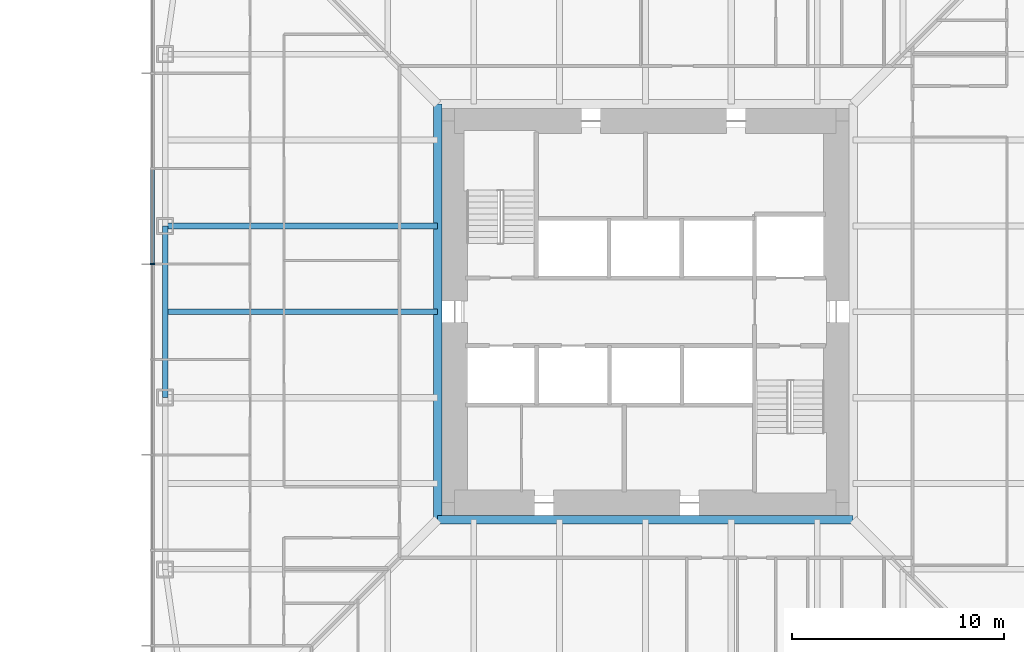
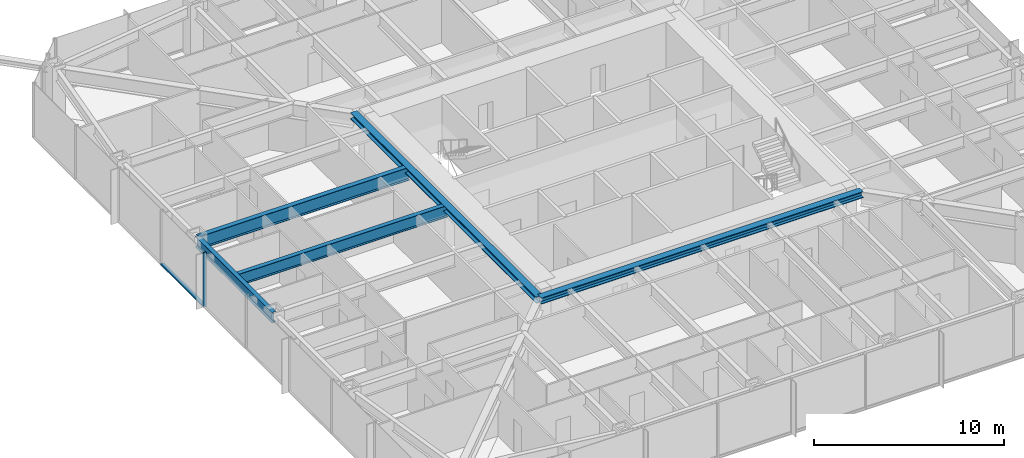
# One storey, part 4 of 26: 5 beams, 2 members, 1 element without a shape of its own.
"""IFC4 building model written with IfcOpenShell, lengths in metres."""

from ifc_helpers import new_model, si_unit, direction, frame, origin, origin_2d, place, context, subcontext, project, spatial, rectangle, i_section, extrude, material, material_profile, profile_set, type_object, element, aggregate, save


model = new_model("IFC4")

# Units and contexts
model_context = context("Model", 3, precision=1e-05, world=origin(), true_north=direction((0.0, 1.0)))
body_context = subcontext(model_context, "Body", "Model", "MODEL_VIEW")
ifc_project = project(units=[si_unit("LENGTHUNIT", "METRE"), si_unit("AREAUNIT", "SQUARE_METRE"), si_unit("VOLUMEUNIT", "CUBIC_METRE"), si_unit("PLANEANGLEUNIT", "RADIAN"), si_unit("MASSUNIT", "GRAM", prefix="KILO")], contexts=[model_context])

# Site, building, storey
site_placement = place(None, origin())
site = spatial("IfcSite", under=ifc_project, at=site_placement, CompositionType="ELEMENT")
building_placement = place(site_placement, origin())
building = spatial("IfcBuilding", under=site, at=building_placement, Name="Iwan Alto Co-Living Towers", CompositionType="ELEMENT")
storey_placement = place(building_placement, frame((0.0, 0.0, 32.5)))
storey = spatial("IfcBuildingStorey", under=building, at=storey_placement, Name="L08", CompositionType="ELEMENT", Elevation=32.5)

# Curtain wall, members
ifc_material_1 = material(Name="Bronze aluminium unitised frame", Category="aluminium")
curtain_wall_type = type_object("IfcCurtainWallType", Name="CURTAIN WALL CW-A", PredefinedType="NOTDEFINED", material=ifc_material_1)
curtain_wall_placement = place(storey_placement, origin())
curtain_wall = element("IfcCurtainWall", 1, at=curtain_wall_placement, inside=storey, type_object=curtain_wall_type, Name="T1 curtain wall W L08", PredefinedType="NOTDEFINED")
ifc_material_2 = material(Name="Aluminium 6063-T6 bronze anodised", Category="aluminium")
ifc_material_profile_1 = material_profile(ifc_material_2, rectangle(XDim=0.199951171875, YDim=0.080078125, at=origin_2d()), Name="AL 80X200")
ifc_profile_set_1 = profile_set([ifc_material_profile_1], Name="Aluminium 6063-T6 bronze anodised")
member_type_1 = type_object("IfcMemberType", Name="CW-A MULLION 80X200", PredefinedType="MULLION", material=ifc_profile_set_1)
member_1_placement = place(storey_placement, frame((-23.25, 2.25, 0.0), z_axis=(0.0, 0.0, 1.0), x_axis=(1.0, 0.0, 0.0)))
member_1 = element("IfcMember", 2, at=member_1_placement, type_object=member_type_1, Name="CW-A mullion 5", PredefinedType="MULLION", context=body_context, shape_type="SweptSolid", body=[
    extrude(rectangle(XDim=0.199951171875, YDim=0.080078125, at=origin_2d()), origin(), (0.0, 0.0, 1.0), 3.5),
])
ifc_material_3 = material(Name="Aluminium 6063-T6 bronze anodised", Category="aluminium")
ifc_material_profile_2 = material_profile(ifc_material_3, rectangle(XDim=0.199951171875, YDim=0.10009765625, at=origin_2d()), Name="AL 200X100")
ifc_profile_set_2 = profile_set([ifc_material_profile_2], Name="Aluminium 6063-T6 bronze anodised")
member_type_2 = type_object("IfcMemberType", Name="CW-A TRANSOM 200X100", PredefinedType="USERDEFINED", material=ifc_profile_set_2)
member_2_placement = place(storey_placement, frame((-23.25, 6.7099609375, 0.050048828125), z_axis=(0.0, -1.0, 0.0), x_axis=(1.0, 0.0, 0.0)))
member_2 = element("IfcMember", 3, at=member_2_placement, type_object=member_type_2, Name="CW-A transom 4.1", ObjectType="TRANSOM", PredefinedType="USERDEFINED", context=body_context, shape_type="SweptSolid", body=[
    extrude(rectangle(XDim=0.199951171875, YDim=0.10009765625, at=origin_2d()), origin(), (0.0, 0.0, 1.0), 4.419921875),
])
aggregate(curtain_wall, [member_1, member_2])

# Beams
ifc_material_4 = material(Name="Steel ASTM A992 Gr 50", Category="steel")
ifc_material_profile_3 = material_profile(ifc_material_4, i_section(OverallWidth=0.40380859375, OverallDepth=0.406494140625, WebThickness=0.027099609375, FlangeThickness=0.043701171875, at=origin_2d()), Name="W14X233")
ifc_profile_set_3 = profile_set([ifc_material_profile_3], Name="Steel ASTM A992 Gr 50")
beam_type_1 = type_object("IfcBeamType", Name="T1 CORE LEDGER BEAM W14X233", PredefinedType="BEAM", material=ifc_profile_set_3)
for number, where, z_axis, x_axis, name in (
    (4, (-9.802001953125, -9.802001953125, 3.06689453125), (1.0, 0.0, 0.0), (0.0, 1.0, 0.0), "T1 core ledger beam S L09"),
    (5, (-9.802001953125, 9.802001953125, 3.06689453125), (0.0, -1.0, 0.0), (1.0, 0.0, 0.0), "T1 core ledger beam W L09"),
):
    element("IfcBeam", number, at=place(storey_placement, frame(where, z_axis=z_axis, x_axis=x_axis)), inside=storey, type_object=beam_type_1, Name=name, PredefinedType="BEAM", context=body_context, shape_type="SweptSolid", body=[
        extrude(i_section(OverallWidth=0.40380859375, OverallDepth=0.406494140625, WebThickness=0.027099609375, FlangeThickness=0.043701171875, at=origin_2d()), origin(), (0.0, 0.0, 1.0), 19.60400390625),
    ])
ifc_material_5 = material(Name="Steel ASTM A992 Gr 50", Category="steel")
ifc_material_profile_4 = material_profile(ifc_material_5, i_section(OverallWidth=0.25390625, OverallDepth=0.683349609375, WebThickness=0.012451171875, FlangeThickness=0.018798828125, at=origin_2d()), Name="W27X94")
ifc_profile_set_4 = profile_set([ifc_material_profile_4], Name="Steel ASTM A992 Gr 50")
beam_type_2 = type_object("IfcBeamType", Name="T1 EDGE BEAM W27X94", PredefinedType="BEAM", material=ifc_profile_set_4)
beam_1_placement = place(storey_placement, frame((-22.64990234375, 4.050048828125, 2.928466796875), z_axis=(0.0, -1.0, 0.0), x_axis=(1.0, 0.0, 0.0)))
element("IfcBeam", 6, at=beam_1_placement, inside=storey, type_object=beam_type_2, Name="T1 edge beam W2 L09", PredefinedType="BEAM", context=body_context, shape_type="SweptSolid", body=[
    extrude(i_section(OverallWidth=0.25390625, OverallDepth=0.683349609375, WebThickness=0.012451171875, FlangeThickness=0.018798828125, at=origin_2d()), origin(), (0.0, 0.0, 1.0), 8.10009765625),
])
ifc_material_6 = material(Name="Steel ASTM A992 Gr 50", Category="steel")
ifc_material_profile_5 = material_profile(ifc_material_6, i_section(OverallWidth=0.2919921875, OverallDepth=0.8408203125, WebThickness=0.0146484375, FlangeThickness=0.021728515625, at=origin_2d()), Name="W33X130")
ifc_profile_set_5 = profile_set([ifc_material_profile_5], Name="Steel ASTM A992 Gr 50")
beam_type_3 = type_object("IfcBeamType", Name="T1 RADIAL BEAM W33X130", PredefinedType="BEAM", material=ifc_profile_set_5)
beam_2_placement = place(storey_placement, frame((-22.64990234375, 4.050048828125, 2.849609375), z_axis=(1.0, 0.0, 0.0), x_axis=(0.0, 1.0, 0.0)))
element("IfcBeam", 7, at=beam_2_placement, inside=storey, type_object=beam_type_3, Name="T1 radial beam W2 L09", PredefinedType="BEAM", context=body_context, shape_type="SweptSolid", body=[
    extrude(i_section(OverallWidth=0.2919921875, OverallDepth=0.8408203125, WebThickness=0.0146484375, FlangeThickness=0.021728515625, at=origin_2d()), origin(), (0.0, 0.0, 1.0), 12.847900390625),
])
ifc_material_7 = material(Name="Steel ASTM A992 Gr 50", Category="steel")
ifc_material_profile_6 = material_profile(ifc_material_7, i_section(OverallWidth=0.2666015625, OverallDepth=0.761962890625, WebThickness=0.014404296875, FlangeThickness=0.021484375, at=origin_2d()), Name="W30X116")
ifc_profile_set_6 = profile_set([ifc_material_profile_6], Name="Steel ASTM A992 Gr 50")
beam_type_4 = type_object("IfcBeamType", Name="T1 SECONDARY BEAM W30X116", PredefinedType="JOIST", material=ifc_profile_set_6)
beam_3_placement = place(storey_placement, frame((-22.64990234375, 0.0, 2.888916015625), z_axis=(1.0, 0.0, 0.0), x_axis=(0.0, 1.0, 0.0)))
element("IfcBeam", 8, at=beam_3_placement, inside=storey, type_object=beam_type_4, Name="T1 secondary beam W2 L09", PredefinedType="JOIST", context=body_context, shape_type="SweptSolid", body=[
    extrude(i_section(OverallWidth=0.2666015625, OverallDepth=0.761962890625, WebThickness=0.014404296875, FlangeThickness=0.021484375, at=origin_2d()), origin(), (0.0, 0.0, 1.0), 12.847900390625),
])

save(model, "model.ifc")
